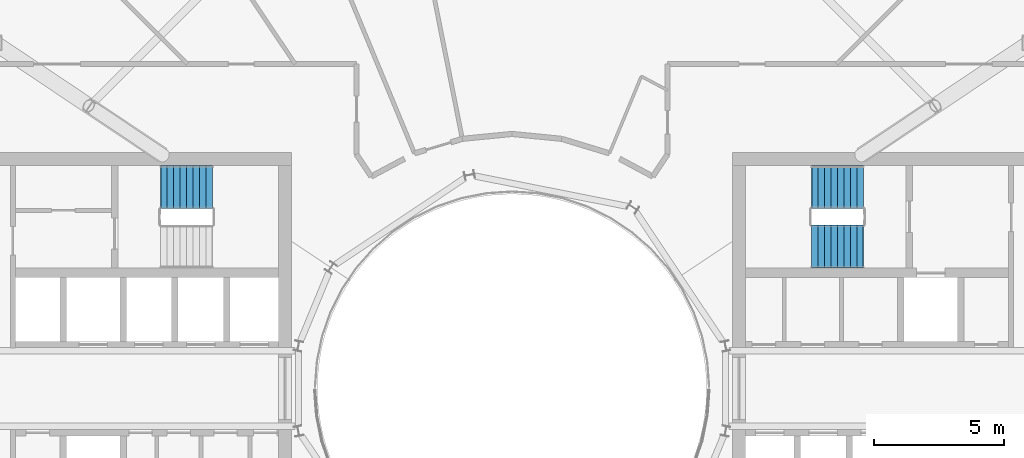
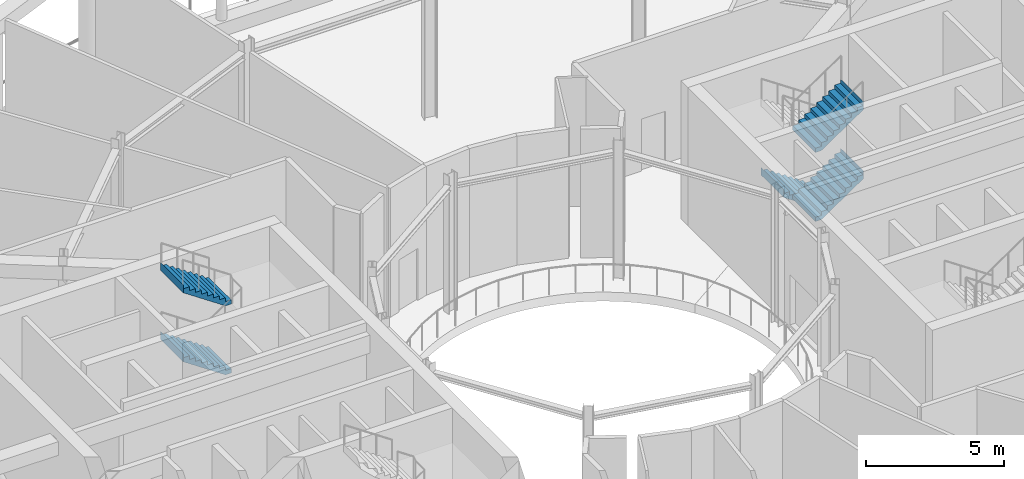
# One storey, part 18 of 24: 5 stair flights, 2 elements without a shape of their own.
"""IFC4 building model written with IfcOpenShell, lengths in metres."""

from ifc_helpers import new_model, si_unit, direction, frame, origin, place, context, subcontext, project, spatial, triangles, material, type_object, element, aggregate, save


model = new_model("IFC4")

# Units and contexts
model_context = context("Model", 3, precision=1e-05, world=origin(), true_north=direction((0.0, 1.0)))
body_context = subcontext(model_context, "Body", "Model", "MODEL_VIEW")
ifc_project = project(units=[si_unit("LENGTHUNIT", "METRE"), si_unit("AREAUNIT", "SQUARE_METRE"), si_unit("VOLUMEUNIT", "CUBIC_METRE"), si_unit("PLANEANGLEUNIT", "RADIAN"), si_unit("MASSUNIT", "GRAM", prefix="KILO")], contexts=[model_context])

# Site, building, storey
site_placement = place(None, origin())
site = spatial("IfcSite", under=ifc_project, at=site_placement, CompositionType="ELEMENT")
building_placement = place(site_placement, origin())
building = spatial("IfcBuilding", under=site, at=building_placement, Name="Maasbend Ring Residences", CompositionType="ELEMENT")
storey_placement = place(building_placement, frame((0.0, 0.0, 179.89990234375)))
storey = spatial("IfcBuildingStorey", under=building, at=storey_placement, Name="L52", CompositionType="ELEMENT", Elevation=179.89990234375)

# Stair, stair flights
ifc_material_1 = material(Name="Concrete C40/50", Category="concrete")
stair_type = type_object("IfcStairType", Name="CORE STAIR 36 RISERS", PredefinedType="HALF_TURN_STAIR", material=ifc_material_1)
stair_1_placement = place(storey_placement, origin())
stair_1 = element("IfcStair", 1, at=stair_1_placement, inside=storey, type_object=stair_type, Name="L52 Exit stair ST-E1", PredefinedType="HALF_TURN_STAIR")
ifc_material_2 = material(Name="Concrete C40/50", Category="concrete")
stair_flight_type = type_object("IfcStairFlightType", Name="CORE STAIR FLIGHT 1650", PredefinedType="STRAIGHT", material=ifc_material_2)
stair_flight_1_placement = place(storey_placement, frame((13.550048828125, 7.77490234375, 0.0), z_axis=(0.0, 0.0, 1.0), x_axis=(-1.0, 0.0, 0.0)))
stair_flight_1 = element("IfcStairFlight", 2, at=stair_flight_1_placement, type_object=stair_flight_type, Name="ST-E1 flight 1", NumberOfRisers=9, NumberOfTreads=8, PredefinedType="STRAIGHT", RiserHeight=0.169444444, TreadLength=0.25, context=body_context, shape_type="Tessellation", body=[
    triangles([(0.24072265625, 0.824951171875, -0.02001953125), (2.0029296875, 0.824951171875, 1.174560546875), (2.0029296875, 0.824951171875, 1.52490234375), (1.989990234375, 0.824951171875, 1.35546875), (1.75, 0.824951171875, 1.35546875), (1.75, 0.824951171875, 1.18603515625), (1.5, 0.824951171875, 1.18603515625), (1.5, 0.824951171875, 1.0166015625), (1.25, 0.824951171875, 1.0166015625), (1.25, 0.824951171875, 0.84716796875), (1.0, 0.824951171875, 0.84716796875), (1.0, 0.824951171875, 0.677734375), (0.75, 0.824951171875, 0.677734375), (0.75, 0.824951171875, 0.50830078125), (0.5, 0.824951171875, 0.50830078125), (0.5, 0.824951171875, 0.3388671875), (0.25, 0.824951171875, 0.3388671875), (0.25, 0.824951171875, 0.16943359375), (0.0, 0.824951171875, 0.16943359375), (0.0, 0.824951171875, 0.0), (-0.0029296875, 0.824951171875, 0.0), (-0.0029296875, 0.824951171875, -0.02001953125), (0.24072265625, 0.27490234375, -0.02001953125), (2.0029296875, 0.27490234375, 1.174560546875), (2.0029296875, 0.27490234375, 1.52490234375), (1.989990234375, 0.27490234375, 1.35546875), (1.75, 0.27490234375, 1.35546875), (1.75, 0.27490234375, 1.18603515625), (1.5, 0.27490234375, 1.18603515625), (1.5, 0.27490234375, 1.0166015625), (1.25, 0.27490234375, 1.0166015625), (1.25, 0.27490234375, 0.84716796875), (1.0, 0.27490234375, 0.84716796875), (1.0, 0.27490234375, 0.677734375), (0.75, 0.27490234375, 0.677734375), (0.75, 0.27490234375, 0.50830078125), (0.5, 0.27490234375, 0.50830078125), (0.5, 0.27490234375, 0.3388671875), (0.25, 0.27490234375, 0.3388671875), (0.25, 0.27490234375, 0.16943359375), (0.0, 0.27490234375, 0.16943359375), (0.0, 0.27490234375, 0.0), (-0.0029296875, 0.27490234375, 0.0), (-0.0029296875, 0.27490234375, -0.02001953125), (0.24072265625, -0.27490234375, -0.02001953125), (2.0029296875, -0.27490234375, 1.174560546875), (2.0029296875, -0.27490234375, 1.52490234375), (1.989990234375, -0.27490234375, 1.35546875), (1.75, -0.27490234375, 1.35546875), (1.75, -0.27490234375, 1.18603515625), (1.5, -0.27490234375, 1.18603515625), (1.5, -0.27490234375, 1.0166015625), (1.25, -0.27490234375, 1.0166015625), (1.25, -0.27490234375, 0.84716796875), (1.0, -0.27490234375, 0.84716796875), (1.0, -0.27490234375, 0.677734375), (0.75, -0.27490234375, 0.677734375), (0.75, -0.27490234375, 0.50830078125), (0.5, -0.27490234375, 0.50830078125), (0.5, -0.27490234375, 0.3388671875), (0.25, -0.27490234375, 0.3388671875), (0.25, -0.27490234375, 0.16943359375), (0.0, -0.27490234375, 0.16943359375), (0.0, -0.27490234375, 0.0), (-0.0029296875, -0.27490234375, 0.0), (-0.0029296875, -0.27490234375, -0.02001953125), (0.24072265625, -0.824951171875, -0.02001953125), (2.0029296875, -0.824951171875, 1.174560546875), (2.0029296875, -0.824951171875, 1.52490234375), (1.989990234375, -0.824951171875, 1.35546875), (1.75, -0.824951171875, 1.35546875), (1.75, -0.824951171875, 1.18603515625), (1.5, -0.824951171875, 1.18603515625), (1.5, -0.824951171875, 1.0166015625), (1.25, -0.824951171875, 1.0166015625), (1.25, -0.824951171875, 0.84716796875), (1.0, -0.824951171875, 0.84716796875), (1.0, -0.824951171875, 0.677734375), (0.75, -0.824951171875, 0.677734375), (0.75, -0.824951171875, 0.50830078125), (0.5, -0.824951171875, 0.50830078125), (0.5, -0.824951171875, 0.3388671875), (0.25, -0.824951171875, 0.3388671875), (0.25, -0.824951171875, 0.16943359375), (0.0, -0.824951171875, 0.16943359375), (0.0, -0.824951171875, 0.0), (-0.0029296875, -0.824951171875, 0.0), (-0.0029296875, -0.824951171875, -0.02001953125)], [[1, 2, 24], [1, 24, 23], [23, 24, 46], [23, 46, 45], [45, 46, 68], [45, 68, 67], [2, 3, 25], [2, 25, 24], [24, 25, 47], [24, 47, 46], [46, 47, 69], [46, 69, 68], [3, 4, 26], [3, 26, 25], [25, 26, 48], [25, 48, 47], [47, 48, 70], [47, 70, 69], [4, 5, 27], [4, 27, 26], [26, 27, 49], [26, 49, 48], [48, 49, 71], [48, 71, 70], [5, 6, 28], [5, 28, 27], [27, 28, 50], [27, 50, 49], [49, 50, 72], [49, 72, 71], [6, 7, 29], [6, 29, 28], [28, 29, 51], [28, 51, 50], [50, 51, 73], [50, 73, 72], [7, 8, 30], [7, 30, 29], [29, 30, 52], [29, 52, 51], [51, 52, 74], [51, 74, 73], [8, 9, 31], [8, 31, 30], [30, 31, 53], [30, 53, 52], [52, 53, 75], [52, 75, 74], [9, 10, 32], [9, 32, 31], [31, 32, 54], [31, 54, 53], [53, 54, 76], [53, 76, 75], [10, 11, 33], [10, 33, 32], [32, 33, 55], [32, 55, 54], [54, 55, 77], [54, 77, 76], [11, 12, 34], [11, 34, 33], [33, 34, 56], [33, 56, 55], [55, 56, 78], [55, 78, 77], [12, 13, 35], [12, 35, 34], [34, 35, 57], [34, 57, 56], [56, 57, 79], [56, 79, 78], [13, 14, 36], [13, 36, 35], [35, 36, 58], [35, 58, 57], [57, 58, 80], [57, 80, 79], [14, 15, 37], [14, 37, 36], [36, 37, 59], [36, 59, 58], [58, 59, 81], [58, 81, 80], [15, 16, 38], [15, 38, 37], [37, 38, 60], [37, 60, 59], [59, 60, 82], [59, 82, 81], [16, 17, 39], [16, 39, 38], [38, 39, 61], [38, 61, 60], [60, 61, 83], [60, 83, 82], [17, 18, 40], [17, 40, 39], [39, 40, 62], [39, 62, 61], [61, 62, 84], [61, 84, 83], [18, 19, 41], [18, 41, 40], [40, 41, 63], [40, 63, 62], [62, 63, 85], [62, 85, 84], [19, 20, 42], [19, 42, 41], [41, 42, 64], [41, 64, 63], [63, 64, 86], [63, 86, 85], [20, 21, 43], [20, 43, 42], [42, 43, 65], [42, 65, 64], [64, 65, 87], [64, 87, 86], [21, 22, 44], [21, 44, 43], [43, 44, 66], [43, 66, 65], [65, 66, 88], [65, 88, 87], [22, 1, 23], [22, 23, 44], [44, 23, 45], [44, 45, 66], [66, 45, 67], [66, 67, 88], [22, 2, 1], [2, 4, 3], [2, 5, 4], [2, 6, 5], [22, 6, 2], [6, 8, 7], [22, 8, 6], [8, 10, 9], [22, 10, 8], [10, 12, 11], [22, 12, 10], [12, 14, 13], [22, 14, 12], [14, 16, 15], [22, 16, 14], [16, 18, 17], [22, 18, 16], [18, 20, 19], [22, 20, 18], [20, 22, 21], [88, 67, 68], [68, 69, 70], [68, 70, 71], [68, 71, 72], [88, 68, 72], [72, 73, 74], [88, 72, 74], [74, 75, 76], [88, 74, 76], [76, 77, 78], [88, 76, 78], [78, 79, 80], [88, 78, 80], [80, 81, 82], [88, 80, 82], [82, 83, 84], [88, 82, 84], [84, 85, 86], [88, 84, 86], [86, 87, 88]], closed=True),
])
stair_flight_2_placement = place(storey_placement, frame((11.550048828125, 5.47509765625, 1.525146484375), z_axis=(0.0, 0.0, 1.0), x_axis=(1.0, 0.0, 0.0)))
stair_flight_2 = element("IfcStairFlight", 3, at=stair_flight_2_placement, type_object=stair_flight_type, Name="ST-E1 flight 2", NumberOfRisers=9, NumberOfTreads=8, PredefinedType="STRAIGHT", RiserHeight=0.169444444, TreadLength=0.25, context=body_context, shape_type="Tessellation", body=[
    triangles([(0.24072265625, 0.824951171875, -0.02001953125), (2.0029296875, 0.824951171875, 1.174560546875), (2.0029296875, 0.824951171875, 1.52490234375), (1.989990234375, 0.824951171875, 1.35546875), (1.75, 0.824951171875, 1.35546875), (1.75, 0.824951171875, 1.18603515625), (1.5, 0.824951171875, 1.18603515625), (1.5, 0.824951171875, 1.0166015625), (1.25, 0.824951171875, 1.0166015625), (1.25, 0.824951171875, 0.84716796875), (1.0, 0.824951171875, 0.84716796875), (1.0, 0.824951171875, 0.677734375), (0.75, 0.824951171875, 0.677734375), (0.75, 0.824951171875, 0.50830078125), (0.5, 0.824951171875, 0.50830078125), (0.5, 0.824951171875, 0.3388671875), (0.25, 0.824951171875, 0.3388671875), (0.25, 0.824951171875, 0.16943359375), (0.0, 0.824951171875, 0.16943359375), (0.0, 0.824951171875, 0.0), (-0.0029296875, 0.824951171875, 0.0), (-0.0029296875, 0.824951171875, -0.02001953125), (0.24072265625, 0.27490234375, -0.02001953125), (2.0029296875, 0.27490234375, 1.174560546875), (2.0029296875, 0.27490234375, 1.52490234375), (1.989990234375, 0.27490234375, 1.35546875), (1.75, 0.27490234375, 1.35546875), (1.75, 0.27490234375, 1.18603515625), (1.5, 0.27490234375, 1.18603515625), (1.5, 0.27490234375, 1.0166015625), (1.25, 0.27490234375, 1.0166015625), (1.25, 0.27490234375, 0.84716796875), (1.0, 0.27490234375, 0.84716796875), (1.0, 0.27490234375, 0.677734375), (0.75, 0.27490234375, 0.677734375), (0.75, 0.27490234375, 0.50830078125), (0.5, 0.27490234375, 0.50830078125), (0.5, 0.27490234375, 0.3388671875), (0.25, 0.27490234375, 0.3388671875), (0.25, 0.27490234375, 0.16943359375), (0.0, 0.27490234375, 0.16943359375), (0.0, 0.27490234375, 0.0), (-0.0029296875, 0.27490234375, 0.0), (-0.0029296875, 0.27490234375, -0.02001953125), (0.24072265625, -0.27490234375, -0.02001953125), (2.0029296875, -0.27490234375, 1.174560546875), (2.0029296875, -0.27490234375, 1.52490234375), (1.989990234375, -0.27490234375, 1.35546875), (1.75, -0.27490234375, 1.35546875), (1.75, -0.27490234375, 1.18603515625), (1.5, -0.27490234375, 1.18603515625), (1.5, -0.27490234375, 1.0166015625), (1.25, -0.27490234375, 1.0166015625), (1.25, -0.27490234375, 0.84716796875), (1.0, -0.27490234375, 0.84716796875), (1.0, -0.27490234375, 0.677734375), (0.75, -0.27490234375, 0.677734375), (0.75, -0.27490234375, 0.50830078125), (0.5, -0.27490234375, 0.50830078125), (0.5, -0.27490234375, 0.3388671875), (0.25, -0.27490234375, 0.3388671875), (0.25, -0.27490234375, 0.16943359375), (0.0, -0.27490234375, 0.16943359375), (0.0, -0.27490234375, 0.0), (-0.0029296875, -0.27490234375, 0.0), (-0.0029296875, -0.27490234375, -0.02001953125), (0.24072265625, -0.824951171875, -0.02001953125), (2.0029296875, -0.824951171875, 1.174560546875), (2.0029296875, -0.824951171875, 1.52490234375), (1.989990234375, -0.824951171875, 1.35546875), (1.75, -0.824951171875, 1.35546875), (1.75, -0.824951171875, 1.18603515625), (1.5, -0.824951171875, 1.18603515625), (1.5, -0.824951171875, 1.0166015625), (1.25, -0.824951171875, 1.0166015625), (1.25, -0.824951171875, 0.84716796875), (1.0, -0.824951171875, 0.84716796875), (1.0, -0.824951171875, 0.677734375), (0.75, -0.824951171875, 0.677734375), (0.75, -0.824951171875, 0.50830078125), (0.5, -0.824951171875, 0.50830078125), (0.5, -0.824951171875, 0.3388671875), (0.25, -0.824951171875, 0.3388671875), (0.25, -0.824951171875, 0.16943359375), (0.0, -0.824951171875, 0.16943359375), (0.0, -0.824951171875, 0.0), (-0.0029296875, -0.824951171875, 0.0), (-0.0029296875, -0.824951171875, -0.02001953125)], [[1, 2, 24], [1, 24, 23], [23, 24, 46], [23, 46, 45], [45, 46, 68], [45, 68, 67], [2, 3, 25], [2, 25, 24], [24, 25, 47], [24, 47, 46], [46, 47, 69], [46, 69, 68], [3, 4, 26], [3, 26, 25], [25, 26, 48], [25, 48, 47], [47, 48, 70], [47, 70, 69], [4, 5, 27], [4, 27, 26], [26, 27, 49], [26, 49, 48], [48, 49, 71], [48, 71, 70], [5, 6, 28], [5, 28, 27], [27, 28, 50], [27, 50, 49], [49, 50, 72], [49, 72, 71], [6, 7, 29], [6, 29, 28], [28, 29, 51], [28, 51, 50], [50, 51, 73], [50, 73, 72], [7, 8, 30], [7, 30, 29], [29, 30, 52], [29, 52, 51], [51, 52, 74], [51, 74, 73], [8, 9, 31], [8, 31, 30], [30, 31, 53], [30, 53, 52], [52, 53, 75], [52, 75, 74], [9, 10, 32], [9, 32, 31], [31, 32, 54], [31, 54, 53], [53, 54, 76], [53, 76, 75], [10, 11, 33], [10, 33, 32], [32, 33, 55], [32, 55, 54], [54, 55, 77], [54, 77, 76], [11, 12, 34], [11, 34, 33], [33, 34, 56], [33, 56, 55], [55, 56, 78], [55, 78, 77], [12, 13, 35], [12, 35, 34], [34, 35, 57], [34, 57, 56], [56, 57, 79], [56, 79, 78], [13, 14, 36], [13, 36, 35], [35, 36, 58], [35, 58, 57], [57, 58, 80], [57, 80, 79], [14, 15, 37], [14, 37, 36], [36, 37, 59], [36, 59, 58], [58, 59, 81], [58, 81, 80], [15, 16, 38], [15, 38, 37], [37, 38, 60], [37, 60, 59], [59, 60, 82], [59, 82, 81], [16, 17, 39], [16, 39, 38], [38, 39, 61], [38, 61, 60], [60, 61, 83], [60, 83, 82], [17, 18, 40], [17, 40, 39], [39, 40, 62], [39, 62, 61], [61, 62, 84], [61, 84, 83], [18, 19, 41], [18, 41, 40], [40, 41, 63], [40, 63, 62], [62, 63, 85], [62, 85, 84], [19, 20, 42], [19, 42, 41], [41, 42, 64], [41, 64, 63], [63, 64, 86], [63, 86, 85], [20, 21, 43], [20, 43, 42], [42, 43, 65], [42, 65, 64], [64, 65, 87], [64, 87, 86], [21, 22, 44], [21, 44, 43], [43, 44, 66], [43, 66, 65], [65, 66, 88], [65, 88, 87], [22, 1, 23], [22, 23, 44], [44, 23, 45], [44, 45, 66], [66, 45, 67], [66, 67, 88], [22, 2, 1], [2, 4, 3], [2, 5, 4], [2, 6, 5], [22, 6, 2], [6, 8, 7], [22, 8, 6], [8, 10, 9], [22, 10, 8], [10, 12, 11], [22, 12, 10], [12, 14, 13], [22, 14, 12], [14, 16, 15], [22, 16, 14], [16, 18, 17], [22, 18, 16], [18, 20, 19], [22, 20, 18], [20, 22, 21], [88, 67, 68], [68, 69, 70], [68, 70, 71], [68, 71, 72], [88, 68, 72], [72, 73, 74], [88, 72, 74], [74, 75, 76], [88, 74, 76], [76, 77, 78], [88, 76, 78], [78, 79, 80], [88, 78, 80], [80, 81, 82], [88, 80, 82], [82, 83, 84], [88, 82, 84], [84, 85, 86], [88, 84, 86], [86, 87, 88]], closed=True),
])
stair_flight_3_placement = place(storey_placement, frame((11.550048828125, 5.47509765625, 4.5751953125), z_axis=(0.0, 0.0, 1.0), x_axis=(1.0, 0.0, 0.0)))
stair_flight_3 = element("IfcStairFlight", 4, at=stair_flight_3_placement, type_object=stair_flight_type, Name="ST-E1 flight 4", NumberOfRisers=9, NumberOfTreads=8, PredefinedType="STRAIGHT", RiserHeight=0.169444444, TreadLength=0.25, context=body_context, shape_type="Tessellation", body=[
    triangles([(0.24072265625, 0.824951171875, -0.02001953125), (2.0029296875, 0.824951171875, 1.174560546875), (2.0029296875, 0.824951171875, 1.52490234375), (1.989990234375, 0.824951171875, 1.35546875), (1.75, 0.824951171875, 1.35546875), (1.75, 0.824951171875, 1.18603515625), (1.5, 0.824951171875, 1.18603515625), (1.5, 0.824951171875, 1.0166015625), (1.25, 0.824951171875, 1.0166015625), (1.25, 0.824951171875, 0.84716796875), (1.0, 0.824951171875, 0.84716796875), (1.0, 0.824951171875, 0.677734375), (0.75, 0.824951171875, 0.677734375), (0.75, 0.824951171875, 0.50830078125), (0.5, 0.824951171875, 0.50830078125), (0.5, 0.824951171875, 0.3388671875), (0.25, 0.824951171875, 0.3388671875), (0.25, 0.824951171875, 0.16943359375), (0.0, 0.824951171875, 0.16943359375), (0.0, 0.824951171875, 0.0), (-0.0029296875, 0.824951171875, 0.0), (-0.0029296875, 0.824951171875, -0.02001953125), (0.24072265625, 0.27490234375, -0.02001953125), (2.0029296875, 0.27490234375, 1.174560546875), (2.0029296875, 0.27490234375, 1.52490234375), (1.989990234375, 0.27490234375, 1.35546875), (1.75, 0.27490234375, 1.35546875), (1.75, 0.27490234375, 1.18603515625), (1.5, 0.27490234375, 1.18603515625), (1.5, 0.27490234375, 1.0166015625), (1.25, 0.27490234375, 1.0166015625), (1.25, 0.27490234375, 0.84716796875), (1.0, 0.27490234375, 0.84716796875), (1.0, 0.27490234375, 0.677734375), (0.75, 0.27490234375, 0.677734375), (0.75, 0.27490234375, 0.50830078125), (0.5, 0.27490234375, 0.50830078125), (0.5, 0.27490234375, 0.3388671875), (0.25, 0.27490234375, 0.3388671875), (0.25, 0.27490234375, 0.16943359375), (0.0, 0.27490234375, 0.16943359375), (0.0, 0.27490234375, 0.0), (-0.0029296875, 0.27490234375, 0.0), (-0.0029296875, 0.27490234375, -0.02001953125), (0.24072265625, -0.27490234375, -0.02001953125), (2.0029296875, -0.27490234375, 1.174560546875), (2.0029296875, -0.27490234375, 1.52490234375), (1.989990234375, -0.27490234375, 1.35546875), (1.75, -0.27490234375, 1.35546875), (1.75, -0.27490234375, 1.18603515625), (1.5, -0.27490234375, 1.18603515625), (1.5, -0.27490234375, 1.0166015625), (1.25, -0.27490234375, 1.0166015625), (1.25, -0.27490234375, 0.84716796875), (1.0, -0.27490234375, 0.84716796875), (1.0, -0.27490234375, 0.677734375), (0.75, -0.27490234375, 0.677734375), (0.75, -0.27490234375, 0.50830078125), (0.5, -0.27490234375, 0.50830078125), (0.5, -0.27490234375, 0.3388671875), (0.25, -0.27490234375, 0.3388671875), (0.25, -0.27490234375, 0.16943359375), (0.0, -0.27490234375, 0.16943359375), (0.0, -0.27490234375, 0.0), (-0.0029296875, -0.27490234375, 0.0), (-0.0029296875, -0.27490234375, -0.02001953125), (0.24072265625, -0.824951171875, -0.02001953125), (2.0029296875, -0.824951171875, 1.174560546875), (2.0029296875, -0.824951171875, 1.52490234375), (1.989990234375, -0.824951171875, 1.35546875), (1.75, -0.824951171875, 1.35546875), (1.75, -0.824951171875, 1.18603515625), (1.5, -0.824951171875, 1.18603515625), (1.5, -0.824951171875, 1.0166015625), (1.25, -0.824951171875, 1.0166015625), (1.25, -0.824951171875, 0.84716796875), (1.0, -0.824951171875, 0.84716796875), (1.0, -0.824951171875, 0.677734375), (0.75, -0.824951171875, 0.677734375), (0.75, -0.824951171875, 0.50830078125), (0.5, -0.824951171875, 0.50830078125), (0.5, -0.824951171875, 0.3388671875), (0.25, -0.824951171875, 0.3388671875), (0.25, -0.824951171875, 0.16943359375), (0.0, -0.824951171875, 0.16943359375), (0.0, -0.824951171875, 0.0), (-0.0029296875, -0.824951171875, 0.0), (-0.0029296875, -0.824951171875, -0.02001953125)], [[1, 2, 24], [1, 24, 23], [23, 24, 46], [23, 46, 45], [45, 46, 68], [45, 68, 67], [2, 3, 25], [2, 25, 24], [24, 25, 47], [24, 47, 46], [46, 47, 69], [46, 69, 68], [3, 4, 26], [3, 26, 25], [25, 26, 48], [25, 48, 47], [47, 48, 70], [47, 70, 69], [4, 5, 27], [4, 27, 26], [26, 27, 49], [26, 49, 48], [48, 49, 71], [48, 71, 70], [5, 6, 28], [5, 28, 27], [27, 28, 50], [27, 50, 49], [49, 50, 72], [49, 72, 71], [6, 7, 29], [6, 29, 28], [28, 29, 51], [28, 51, 50], [50, 51, 73], [50, 73, 72], [7, 8, 30], [7, 30, 29], [29, 30, 52], [29, 52, 51], [51, 52, 74], [51, 74, 73], [8, 9, 31], [8, 31, 30], [30, 31, 53], [30, 53, 52], [52, 53, 75], [52, 75, 74], [9, 10, 32], [9, 32, 31], [31, 32, 54], [31, 54, 53], [53, 54, 76], [53, 76, 75], [10, 11, 33], [10, 33, 32], [32, 33, 55], [32, 55, 54], [54, 55, 77], [54, 77, 76], [11, 12, 34], [11, 34, 33], [33, 34, 56], [33, 56, 55], [55, 56, 78], [55, 78, 77], [12, 13, 35], [12, 35, 34], [34, 35, 57], [34, 57, 56], [56, 57, 79], [56, 79, 78], [13, 14, 36], [13, 36, 35], [35, 36, 58], [35, 58, 57], [57, 58, 80], [57, 80, 79], [14, 15, 37], [14, 37, 36], [36, 37, 59], [36, 59, 58], [58, 59, 81], [58, 81, 80], [15, 16, 38], [15, 38, 37], [37, 38, 60], [37, 60, 59], [59, 60, 82], [59, 82, 81], [16, 17, 39], [16, 39, 38], [38, 39, 61], [38, 61, 60], [60, 61, 83], [60, 83, 82], [17, 18, 40], [17, 40, 39], [39, 40, 62], [39, 62, 61], [61, 62, 84], [61, 84, 83], [18, 19, 41], [18, 41, 40], [40, 41, 63], [40, 63, 62], [62, 63, 85], [62, 85, 84], [19, 20, 42], [19, 42, 41], [41, 42, 64], [41, 64, 63], [63, 64, 86], [63, 86, 85], [20, 21, 43], [20, 43, 42], [42, 43, 65], [42, 65, 64], [64, 65, 87], [64, 87, 86], [21, 22, 44], [21, 44, 43], [43, 44, 66], [43, 66, 65], [65, 66, 88], [65, 88, 87], [22, 1, 23], [22, 23, 44], [44, 23, 45], [44, 45, 66], [66, 45, 67], [66, 67, 88], [22, 2, 1], [2, 4, 3], [2, 5, 4], [2, 6, 5], [22, 6, 2], [6, 8, 7], [22, 8, 6], [8, 10, 9], [22, 10, 8], [10, 12, 11], [22, 12, 10], [12, 14, 13], [22, 14, 12], [14, 16, 15], [22, 16, 14], [16, 18, 17], [22, 18, 16], [18, 20, 19], [22, 20, 18], [20, 22, 21], [88, 67, 68], [68, 69, 70], [68, 70, 71], [68, 71, 72], [88, 68, 72], [72, 73, 74], [88, 72, 74], [74, 75, 76], [88, 74, 76], [76, 77, 78], [88, 76, 78], [78, 79, 80], [88, 78, 80], [80, 81, 82], [88, 80, 82], [82, 83, 84], [88, 82, 84], [84, 85, 86], [88, 84, 86], [86, 87, 88]], closed=True),
])
aggregate(stair_1, [stair_flight_1, stair_flight_2, stair_flight_3])

stair_2_placement = place(storey_placement, origin())
stair_2 = element("IfcStair", 5, at=stair_2_placement, inside=storey, type_object=stair_type, Name="L52 Exit stair ST-W2", PredefinedType="HALF_TURN_STAIR")
stair_flight_4_placement = place(storey_placement, frame((-11.550048828125, 7.77490234375, 1.525146484375), z_axis=(0.0, 0.0, 1.0), x_axis=(-1.0, 0.0, 0.0)))
stair_flight_4 = element("IfcStairFlight", 6, at=stair_flight_4_placement, type_object=stair_flight_type, Name="ST-W2 flight 2", NumberOfRisers=9, NumberOfTreads=8, PredefinedType="STRAIGHT", RiserHeight=0.169444444, TreadLength=0.25, context=body_context, shape_type="Tessellation", body=[
    triangles([(0.24072265625, 0.824951171875, -0.02001953125), (2.0029296875, 0.824951171875, 1.174560546875), (2.0029296875, 0.824951171875, 1.52490234375), (1.989990234375, 0.824951171875, 1.35546875), (1.75, 0.824951171875, 1.35546875), (1.75, 0.824951171875, 1.18603515625), (1.5, 0.824951171875, 1.18603515625), (1.5, 0.824951171875, 1.0166015625), (1.25, 0.824951171875, 1.0166015625), (1.25, 0.824951171875, 0.84716796875), (1.0, 0.824951171875, 0.84716796875), (1.0, 0.824951171875, 0.677734375), (0.75, 0.824951171875, 0.677734375), (0.75, 0.824951171875, 0.50830078125), (0.5, 0.824951171875, 0.50830078125), (0.5, 0.824951171875, 0.3388671875), (0.25, 0.824951171875, 0.3388671875), (0.25, 0.824951171875, 0.16943359375), (0.0, 0.824951171875, 0.16943359375), (0.0, 0.824951171875, 0.0), (-0.0029296875, 0.824951171875, 0.0), (-0.0029296875, 0.824951171875, -0.02001953125), (0.24072265625, 0.27490234375, -0.02001953125), (2.0029296875, 0.27490234375, 1.174560546875), (2.0029296875, 0.27490234375, 1.52490234375), (1.989990234375, 0.27490234375, 1.35546875), (1.75, 0.27490234375, 1.35546875), (1.75, 0.27490234375, 1.18603515625), (1.5, 0.27490234375, 1.18603515625), (1.5, 0.27490234375, 1.0166015625), (1.25, 0.27490234375, 1.0166015625), (1.25, 0.27490234375, 0.84716796875), (1.0, 0.27490234375, 0.84716796875), (1.0, 0.27490234375, 0.677734375), (0.75, 0.27490234375, 0.677734375), (0.75, 0.27490234375, 0.50830078125), (0.5, 0.27490234375, 0.50830078125), (0.5, 0.27490234375, 0.3388671875), (0.25, 0.27490234375, 0.3388671875), (0.25, 0.27490234375, 0.16943359375), (0.0, 0.27490234375, 0.16943359375), (0.0, 0.27490234375, 0.0), (-0.0029296875, 0.27490234375, 0.0), (-0.0029296875, 0.27490234375, -0.02001953125), (0.24072265625, -0.27490234375, -0.02001953125), (2.0029296875, -0.27490234375, 1.174560546875), (2.0029296875, -0.27490234375, 1.52490234375), (1.989990234375, -0.27490234375, 1.35546875), (1.75, -0.27490234375, 1.35546875), (1.75, -0.27490234375, 1.18603515625), (1.5, -0.27490234375, 1.18603515625), (1.5, -0.27490234375, 1.0166015625), (1.25, -0.27490234375, 1.0166015625), (1.25, -0.27490234375, 0.84716796875), (1.0, -0.27490234375, 0.84716796875), (1.0, -0.27490234375, 0.677734375), (0.75, -0.27490234375, 0.677734375), (0.75, -0.27490234375, 0.50830078125), (0.5, -0.27490234375, 0.50830078125), (0.5, -0.27490234375, 0.3388671875), (0.25, -0.27490234375, 0.3388671875), (0.25, -0.27490234375, 0.16943359375), (0.0, -0.27490234375, 0.16943359375), (0.0, -0.27490234375, 0.0), (-0.0029296875, -0.27490234375, 0.0), (-0.0029296875, -0.27490234375, -0.02001953125), (0.24072265625, -0.824951171875, -0.02001953125), (2.0029296875, -0.824951171875, 1.174560546875), (2.0029296875, -0.824951171875, 1.52490234375), (1.989990234375, -0.824951171875, 1.35546875), (1.75, -0.824951171875, 1.35546875), (1.75, -0.824951171875, 1.18603515625), (1.5, -0.824951171875, 1.18603515625), (1.5, -0.824951171875, 1.0166015625), (1.25, -0.824951171875, 1.0166015625), (1.25, -0.824951171875, 0.84716796875), (1.0, -0.824951171875, 0.84716796875), (1.0, -0.824951171875, 0.677734375), (0.75, -0.824951171875, 0.677734375), (0.75, -0.824951171875, 0.50830078125), (0.5, -0.824951171875, 0.50830078125), (0.5, -0.824951171875, 0.3388671875), (0.25, -0.824951171875, 0.3388671875), (0.25, -0.824951171875, 0.16943359375), (0.0, -0.824951171875, 0.16943359375), (0.0, -0.824951171875, 0.0), (-0.0029296875, -0.824951171875, 0.0), (-0.0029296875, -0.824951171875, -0.02001953125)], [[1, 2, 24], [1, 24, 23], [23, 24, 46], [23, 46, 45], [45, 46, 68], [45, 68, 67], [2, 3, 25], [2, 25, 24], [24, 25, 47], [24, 47, 46], [46, 47, 69], [46, 69, 68], [3, 4, 26], [3, 26, 25], [25, 26, 48], [25, 48, 47], [47, 48, 70], [47, 70, 69], [4, 5, 27], [4, 27, 26], [26, 27, 49], [26, 49, 48], [48, 49, 71], [48, 71, 70], [5, 6, 28], [5, 28, 27], [27, 28, 50], [27, 50, 49], [49, 50, 72], [49, 72, 71], [6, 7, 29], [6, 29, 28], [28, 29, 51], [28, 51, 50], [50, 51, 73], [50, 73, 72], [7, 8, 30], [7, 30, 29], [29, 30, 52], [29, 52, 51], [51, 52, 74], [51, 74, 73], [8, 9, 31], [8, 31, 30], [30, 31, 53], [30, 53, 52], [52, 53, 75], [52, 75, 74], [9, 10, 32], [9, 32, 31], [31, 32, 54], [31, 54, 53], [53, 54, 76], [53, 76, 75], [10, 11, 33], [10, 33, 32], [32, 33, 55], [32, 55, 54], [54, 55, 77], [54, 77, 76], [11, 12, 34], [11, 34, 33], [33, 34, 56], [33, 56, 55], [55, 56, 78], [55, 78, 77], [12, 13, 35], [12, 35, 34], [34, 35, 57], [34, 57, 56], [56, 57, 79], [56, 79, 78], [13, 14, 36], [13, 36, 35], [35, 36, 58], [35, 58, 57], [57, 58, 80], [57, 80, 79], [14, 15, 37], [14, 37, 36], [36, 37, 59], [36, 59, 58], [58, 59, 81], [58, 81, 80], [15, 16, 38], [15, 38, 37], [37, 38, 60], [37, 60, 59], [59, 60, 82], [59, 82, 81], [16, 17, 39], [16, 39, 38], [38, 39, 61], [38, 61, 60], [60, 61, 83], [60, 83, 82], [17, 18, 40], [17, 40, 39], [39, 40, 62], [39, 62, 61], [61, 62, 84], [61, 84, 83], [18, 19, 41], [18, 41, 40], [40, 41, 63], [40, 63, 62], [62, 63, 85], [62, 85, 84], [19, 20, 42], [19, 42, 41], [41, 42, 64], [41, 64, 63], [63, 64, 86], [63, 86, 85], [20, 21, 43], [20, 43, 42], [42, 43, 65], [42, 65, 64], [64, 65, 87], [64, 87, 86], [21, 22, 44], [21, 44, 43], [43, 44, 66], [43, 66, 65], [65, 66, 88], [65, 88, 87], [22, 1, 23], [22, 23, 44], [44, 23, 45], [44, 45, 66], [66, 45, 67], [66, 67, 88], [22, 2, 1], [2, 4, 3], [2, 5, 4], [2, 6, 5], [22, 6, 2], [6, 8, 7], [22, 8, 6], [8, 10, 9], [22, 10, 8], [10, 12, 11], [22, 12, 10], [12, 14, 13], [22, 14, 12], [14, 16, 15], [22, 16, 14], [16, 18, 17], [22, 18, 16], [18, 20, 19], [22, 20, 18], [20, 22, 21], [88, 67, 68], [68, 69, 70], [68, 70, 71], [68, 71, 72], [88, 68, 72], [72, 73, 74], [88, 72, 74], [74, 75, 76], [88, 74, 76], [76, 77, 78], [88, 76, 78], [78, 79, 80], [88, 78, 80], [80, 81, 82], [88, 80, 82], [82, 83, 84], [88, 82, 84], [84, 85, 86], [88, 84, 86], [86, 87, 88]], closed=True),
])
stair_flight_5_placement = place(storey_placement, frame((-11.550048828125, 7.77490234375, 4.5751953125), z_axis=(0.0, 0.0, 1.0), x_axis=(-1.0, 0.0, 0.0)))
stair_flight_5 = element("IfcStairFlight", 7, at=stair_flight_5_placement, type_object=stair_flight_type, Name="ST-W2 flight 4", NumberOfRisers=9, NumberOfTreads=8, PredefinedType="STRAIGHT", RiserHeight=0.169444444, TreadLength=0.25, context=body_context, shape_type="Tessellation", body=[
    triangles([(0.24072265625, 0.824951171875, -0.02001953125), (2.0029296875, 0.824951171875, 1.174560546875), (2.0029296875, 0.824951171875, 1.52490234375), (1.989990234375, 0.824951171875, 1.35546875), (1.75, 0.824951171875, 1.35546875), (1.75, 0.824951171875, 1.18603515625), (1.5, 0.824951171875, 1.18603515625), (1.5, 0.824951171875, 1.0166015625), (1.25, 0.824951171875, 1.0166015625), (1.25, 0.824951171875, 0.84716796875), (1.0, 0.824951171875, 0.84716796875), (1.0, 0.824951171875, 0.677734375), (0.75, 0.824951171875, 0.677734375), (0.75, 0.824951171875, 0.50830078125), (0.5, 0.824951171875, 0.50830078125), (0.5, 0.824951171875, 0.3388671875), (0.25, 0.824951171875, 0.3388671875), (0.25, 0.824951171875, 0.16943359375), (0.0, 0.824951171875, 0.16943359375), (0.0, 0.824951171875, 0.0), (-0.0029296875, 0.824951171875, 0.0), (-0.0029296875, 0.824951171875, -0.02001953125), (0.24072265625, 0.27490234375, -0.02001953125), (2.0029296875, 0.27490234375, 1.174560546875), (2.0029296875, 0.27490234375, 1.52490234375), (1.989990234375, 0.27490234375, 1.35546875), (1.75, 0.27490234375, 1.35546875), (1.75, 0.27490234375, 1.18603515625), (1.5, 0.27490234375, 1.18603515625), (1.5, 0.27490234375, 1.0166015625), (1.25, 0.27490234375, 1.0166015625), (1.25, 0.27490234375, 0.84716796875), (1.0, 0.27490234375, 0.84716796875), (1.0, 0.27490234375, 0.677734375), (0.75, 0.27490234375, 0.677734375), (0.75, 0.27490234375, 0.50830078125), (0.5, 0.27490234375, 0.50830078125), (0.5, 0.27490234375, 0.3388671875), (0.25, 0.27490234375, 0.3388671875), (0.25, 0.27490234375, 0.16943359375), (0.0, 0.27490234375, 0.16943359375), (0.0, 0.27490234375, 0.0), (-0.0029296875, 0.27490234375, 0.0), (-0.0029296875, 0.27490234375, -0.02001953125), (0.24072265625, -0.27490234375, -0.02001953125), (2.0029296875, -0.27490234375, 1.174560546875), (2.0029296875, -0.27490234375, 1.52490234375), (1.989990234375, -0.27490234375, 1.35546875), (1.75, -0.27490234375, 1.35546875), (1.75, -0.27490234375, 1.18603515625), (1.5, -0.27490234375, 1.18603515625), (1.5, -0.27490234375, 1.0166015625), (1.25, -0.27490234375, 1.0166015625), (1.25, -0.27490234375, 0.84716796875), (1.0, -0.27490234375, 0.84716796875), (1.0, -0.27490234375, 0.677734375), (0.75, -0.27490234375, 0.677734375), (0.75, -0.27490234375, 0.50830078125), (0.5, -0.27490234375, 0.50830078125), (0.5, -0.27490234375, 0.3388671875), (0.25, -0.27490234375, 0.3388671875), (0.25, -0.27490234375, 0.16943359375), (0.0, -0.27490234375, 0.16943359375), (0.0, -0.27490234375, 0.0), (-0.0029296875, -0.27490234375, 0.0), (-0.0029296875, -0.27490234375, -0.02001953125), (0.24072265625, -0.824951171875, -0.02001953125), (2.0029296875, -0.824951171875, 1.174560546875), (2.0029296875, -0.824951171875, 1.52490234375), (1.989990234375, -0.824951171875, 1.35546875), (1.75, -0.824951171875, 1.35546875), (1.75, -0.824951171875, 1.18603515625), (1.5, -0.824951171875, 1.18603515625), (1.5, -0.824951171875, 1.0166015625), (1.25, -0.824951171875, 1.0166015625), (1.25, -0.824951171875, 0.84716796875), (1.0, -0.824951171875, 0.84716796875), (1.0, -0.824951171875, 0.677734375), (0.75, -0.824951171875, 0.677734375), (0.75, -0.824951171875, 0.50830078125), (0.5, -0.824951171875, 0.50830078125), (0.5, -0.824951171875, 0.3388671875), (0.25, -0.824951171875, 0.3388671875), (0.25, -0.824951171875, 0.16943359375), (0.0, -0.824951171875, 0.16943359375), (0.0, -0.824951171875, 0.0), (-0.0029296875, -0.824951171875, 0.0), (-0.0029296875, -0.824951171875, -0.02001953125)], [[1, 2, 24], [1, 24, 23], [23, 24, 46], [23, 46, 45], [45, 46, 68], [45, 68, 67], [2, 3, 25], [2, 25, 24], [24, 25, 47], [24, 47, 46], [46, 47, 69], [46, 69, 68], [3, 4, 26], [3, 26, 25], [25, 26, 48], [25, 48, 47], [47, 48, 70], [47, 70, 69], [4, 5, 27], [4, 27, 26], [26, 27, 49], [26, 49, 48], [48, 49, 71], [48, 71, 70], [5, 6, 28], [5, 28, 27], [27, 28, 50], [27, 50, 49], [49, 50, 72], [49, 72, 71], [6, 7, 29], [6, 29, 28], [28, 29, 51], [28, 51, 50], [50, 51, 73], [50, 73, 72], [7, 8, 30], [7, 30, 29], [29, 30, 52], [29, 52, 51], [51, 52, 74], [51, 74, 73], [8, 9, 31], [8, 31, 30], [30, 31, 53], [30, 53, 52], [52, 53, 75], [52, 75, 74], [9, 10, 32], [9, 32, 31], [31, 32, 54], [31, 54, 53], [53, 54, 76], [53, 76, 75], [10, 11, 33], [10, 33, 32], [32, 33, 55], [32, 55, 54], [54, 55, 77], [54, 77, 76], [11, 12, 34], [11, 34, 33], [33, 34, 56], [33, 56, 55], [55, 56, 78], [55, 78, 77], [12, 13, 35], [12, 35, 34], [34, 35, 57], [34, 57, 56], [56, 57, 79], [56, 79, 78], [13, 14, 36], [13, 36, 35], [35, 36, 58], [35, 58, 57], [57, 58, 80], [57, 80, 79], [14, 15, 37], [14, 37, 36], [36, 37, 59], [36, 59, 58], [58, 59, 81], [58, 81, 80], [15, 16, 38], [15, 38, 37], [37, 38, 60], [37, 60, 59], [59, 60, 82], [59, 82, 81], [16, 17, 39], [16, 39, 38], [38, 39, 61], [38, 61, 60], [60, 61, 83], [60, 83, 82], [17, 18, 40], [17, 40, 39], [39, 40, 62], [39, 62, 61], [61, 62, 84], [61, 84, 83], [18, 19, 41], [18, 41, 40], [40, 41, 63], [40, 63, 62], [62, 63, 85], [62, 85, 84], [19, 20, 42], [19, 42, 41], [41, 42, 64], [41, 64, 63], [63, 64, 86], [63, 86, 85], [20, 21, 43], [20, 43, 42], [42, 43, 65], [42, 65, 64], [64, 65, 87], [64, 87, 86], [21, 22, 44], [21, 44, 43], [43, 44, 66], [43, 66, 65], [65, 66, 88], [65, 88, 87], [22, 1, 23], [22, 23, 44], [44, 23, 45], [44, 45, 66], [66, 45, 67], [66, 67, 88], [22, 2, 1], [2, 4, 3], [2, 5, 4], [2, 6, 5], [22, 6, 2], [6, 8, 7], [22, 8, 6], [8, 10, 9], [22, 10, 8], [10, 12, 11], [22, 12, 10], [12, 14, 13], [22, 14, 12], [14, 16, 15], [22, 16, 14], [16, 18, 17], [22, 18, 16], [18, 20, 19], [22, 20, 18], [20, 22, 21], [88, 67, 68], [68, 69, 70], [68, 70, 71], [68, 71, 72], [88, 68, 72], [72, 73, 74], [88, 72, 74], [74, 75, 76], [88, 74, 76], [76, 77, 78], [88, 76, 78], [78, 79, 80], [88, 78, 80], [80, 81, 82], [88, 80, 82], [82, 83, 84], [88, 82, 84], [84, 85, 86], [88, 84, 86], [86, 87, 88]], closed=True),
])
aggregate(stair_2, [stair_flight_4, stair_flight_5])

save(model, "model.ifc")
